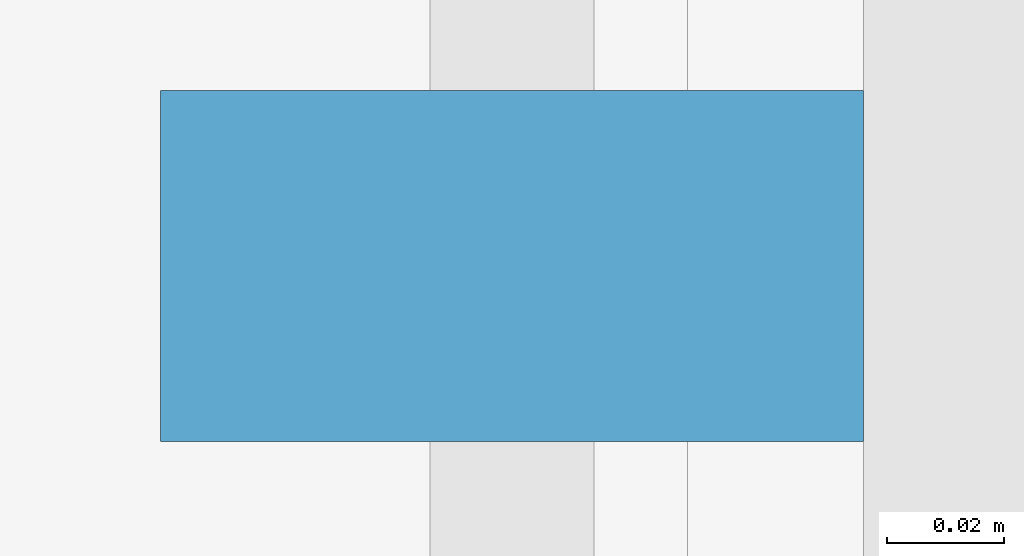
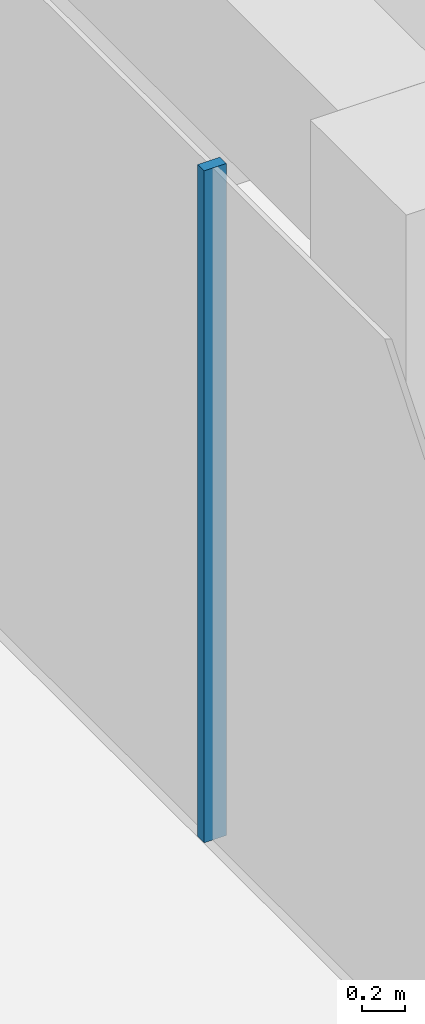
# One storey, part 12 of 25: 1 member, 1 element without a shape of its own.
"""IFC4 building model written with IfcOpenShell, lengths in metres."""

import ifcopenshell
import ifcopenshell.guid

model = None  # the IFC model being written
_history = None  # IfcOwnerHistory: only IFC2X3 demands one
_inside = {}  # id of a spatial element -> (the spatial element, [elements in it])
_under = {}  # id of a project, library or spatial element -> (it, [spatial elements below it])
_declared = {}  # id of a project -> (the project, [libraries it declares])
_typed = {}  # id of a type object -> (the type object, [elements of that type])
_made_of = {}  # id of a material, layer set ... -> (it, [elements and type objects made of it])


def new_model(schema):
    """Start an empty IFC model of exactly this schema.

    Asked for "IFC4X3", IfcOpenShell would pick the latest addendum, in which some entities
    have other attributes; the version numbers below select the first issue.
    IFC2X3 requires an IfcOwnerHistory on every rooted entity: one is made here for all.
    """
    global model, _history
    if schema == "IFC4X3":
        model = ifcopenshell.file(schema_version=(4, 3, 0, 0))
    else:
        model = ifcopenshell.file(schema=schema)
    _inside.clear()
    _under.clear()
    _declared.clear()
    _typed.clear()
    _made_of.clear()
    _history = None
    if model.schema == "IFC2X3":
        org = make("IfcOrganization", Name="unknown")
        user = make(
            "IfcPersonAndOrganization",
            ThePerson=make("IfcPerson", FamilyName="unknown"),
            TheOrganization=org,
        )
        app = make(
            "IfcApplication",
            ApplicationDeveloper=org,
            Version="unknown",
            ApplicationFullName="unknown",
            ApplicationIdentifier="unknown",
        )
        _history = make(
            "IfcOwnerHistory",
            OwningUser=user,
            OwningApplication=app,
            ChangeAction="ADDED",
            CreationDate=0,
        )
    return model


def make(cls, **values):
    """One entity of the class cls with the attributes given. An attribute that is None is left unset."""
    return model.create_entity(
        cls, **{name: value for name, value in values.items() if value is not None}
    )


def rooted(cls, **values):
    """An entity with a GlobalId (a new one), such as an element, a storey or a relation."""
    return make(cls, GlobalId=ifcopenshell.guid.new(), OwnerHistory=_history, **values)


def si_unit(unit_type, name, prefix=None):
    """IfcSIUnit, for example si_unit("LENGTHUNIT", "METRE", prefix="MILLI")."""
    return make("IfcSIUnit", UnitType=unit_type, Prefix=prefix, Name=name)


def assignment(units):
    """IfcUnitAssignment: the units of a project."""
    return None if units is None else make("IfcUnitAssignment", Units=units)


def point(xyz):
    """IfcCartesianPoint."""
    return None if xyz is None else make("IfcCartesianPoint", Coordinates=xyz)


def direction(xyz):
    """IfcDirection."""
    return None if xyz is None else make("IfcDirection", DirectionRatios=xyz)


def frame(location, z_axis=None, x_axis=None):
    """IfcAxis2Placement3D, a coordinate frame: its origin and axes. An axis left out is left unset."""
    return make(
        "IfcAxis2Placement3D",
        Location=point(location),
        Axis=direction(z_axis),
        RefDirection=direction(x_axis),
    )


def frame_2d(location, x_axis=None):
    """IfcAxis2Placement2D, a coordinate frame in the plane: its origin and x axis."""
    return make(
        "IfcAxis2Placement2D", Location=point(location), RefDirection=direction(x_axis)
    )


def origin():
    """The frame at (0, 0, 0) with its axes left unset."""
    return frame((0.0, 0.0, 0.0))


def origin_2d():
    """The frame at (0, 0) in the plane with its x axis left unset."""
    return frame_2d((0.0, 0.0))


def place(relative_to, where):
    """IfcLocalPlacement: puts the frame where relative to a parent placement (None: the world)."""
    return make(
        "IfcLocalPlacement", PlacementRelTo=relative_to, RelativePlacement=where
    )


def context(
    kind, dimensions, precision=None, world=None, true_north=None, identifier=None
):
    """IfcGeometricRepresentationContext, for example the 3D "Model" context."""
    return make(
        "IfcGeometricRepresentationContext",
        ContextIdentifier=identifier,
        ContextType=kind,
        CoordinateSpaceDimension=dimensions,
        Precision=precision,
        WorldCoordinateSystem=world,
        TrueNorth=true_north,
    )


def subcontext(parent, identifier, kind, view, scale=None):
    """IfcGeometricRepresentationSubContext, for example "Body" below "Model"."""
    return make(
        "IfcGeometricRepresentationSubContext",
        ContextIdentifier=identifier,
        ContextType=kind,
        ParentContext=parent,
        TargetScale=scale,
        TargetView=view,
    )


def project(units=None, contexts=None):
    """IfcProject with its units and contexts."""
    return rooted(
        "IfcProject",
        Name="project",
        RepresentationContexts=contexts,
        UnitsInContext=assignment(units),
    )


def spatial(cls, under=None, at=None, **own):
    """A site, building, storey or space (cls), placed at a placement, below another one or the project."""
    s = rooted(cls, ObjectPlacement=at, **own)
    if under is not None:
        _under.setdefault(under.id(), (under, []))[1].append(s)
    return s


def profile(cls, at=None, kind="AREA", **sizes):
    """A parametric profile (cls). Its sizes go by their IFC names, for example OverallWidth=200.0."""
    return make(cls, ProfileType=kind, Position=at, **sizes)


def rectangle(**sizes):
    """IfcRectangleProfileDef."""
    return profile("IfcRectangleProfileDef", **sizes)


def extrude(swept, where, along, depth):
    """IfcExtrudedAreaSolid: the profile swept, set in the frame where, extruded along a direction by depth."""
    return make(
        "IfcExtrudedAreaSolid",
        SweptArea=swept,
        Position=where,
        ExtrudedDirection=direction(along),
        Depth=depth,
    )


def shape(context_of_items, identifier, shape_type, items):
    """IfcShapeRepresentation: the items that make up one representation, for example the "Body"."""
    return make(
        "IfcShapeRepresentation",
        ContextOfItems=context_of_items,
        RepresentationIdentifier=identifier,
        RepresentationType=shape_type,
        Items=items,
    )


def material(Name=None, Category=None):
    """IfcMaterial."""
    return make("IfcMaterial", Name=Name, Category=Category)


def layer(
    of_material, thickness, ventilated=None, Name=None, Category=None, Priority=None
):
    """IfcMaterialLayer: one layer of a wall or slab, of a material (None: an air gap)."""
    return make(
        "IfcMaterialLayer",
        Material=of_material,
        LayerThickness=thickness,
        IsVentilated=ventilated,
        Name=Name,
        Category=Category,
        Priority=Priority,
    )


def layer_set(layers, Name=None):
    """IfcMaterialLayerSet."""
    return make("IfcMaterialLayerSet", MaterialLayers=layers, LayerSetName=Name)


def material_profile(
    of_material, cross_section, Name=None, Category=None, Priority=None
):
    """IfcMaterialProfile: a cross section and its material."""
    return make(
        "IfcMaterialProfile",
        Name=Name,
        Material=of_material,
        Profile=cross_section,
        Priority=Priority,
        Category=Category,
    )


def profile_set(profiles, Name=None, composite=None):
    """IfcMaterialProfileSet."""
    return make(
        "IfcMaterialProfileSet",
        Name=Name,
        MaterialProfiles=profiles,
        CompositeProfile=composite,
    )


def made_of(thing, what):
    """Note that an element or type object is made of a material, layer set ...; save() writes the relation."""
    if what is not None:
        _made_of.setdefault(what.id(), (what, []))[1].append(thing)
    return thing


def type_object(cls, material=None, **own):
    """A type object (cls), such as IfcWallType, which elements share."""
    return made_of(rooted(cls, **own), material)


def element(
    cls,
    number,
    at=None,
    inside=None,
    cuts=None,
    type_object=None,
    material=None,
    context=None,
    identifier="Body",
    shape_type=None,
    held_by="IfcProductDefinitionShape",
    body=None,
    shapes=None,
    **own,
):
    """One element of the class cls, such as IfcWall. Its Tag is "e" and its number.

    at: its placement. inside: the storey or other place that contains it. cuts: it is an
    opening in that element (IfcRelVoidsElement). A single representation is given by context,
    identifier, shape_type and body (its items); several are given by shapes. held_by: the class
    of the entity that holds the representations. save() writes the other relations.
    """
    e = rooted(cls, Tag="e%d" % number, ObjectPlacement=at, **own)
    if body is not None:
        shapes = [shape(context, identifier, shape_type, body)]
    if shapes is not None:
        e.Representation = make(held_by, Representations=shapes)
    if inside is not None:
        _inside.setdefault(inside.id(), (inside, []))[1].append(e)
    if cuts is not None:
        rooted(
            "IfcRelVoidsElement", RelatingBuildingElement=cuts, RelatedOpeningElement=e
        )
    if type_object is not None:
        _typed.setdefault(type_object.id(), (type_object, []))[1].append(e)
    return made_of(e, material)


def aggregate(whole, parts):
    """IfcRelAggregates: a whole, such as a stair, and the parts it consists of."""
    return rooted("IfcRelAggregates", RelatingObject=whole, RelatedObjects=parts)


def save(model, path):
    """Write the relations noted so far, then the file.

    IfcRelAggregates (storeys below a building ...), IfcRelContainedInSpatialStructure (elements
    in a storey), IfcRelDefinesByType, IfcRelAssociatesMaterial and IfcRelDeclares: one each for
    every whole, place, type object, material and project.
    """
    for whole, parts in _under.values():
        aggregate(whole, parts)
    for where, things in _inside.values():
        rooted(
            "IfcRelContainedInSpatialStructure",
            RelatedElements=things,
            RelatingStructure=where,
        )
    for kind, things in _typed.values():
        rooted("IfcRelDefinesByType", RelatedObjects=things, RelatingType=kind)
    for what, things in _made_of.values():
        rooted("IfcRelAssociatesMaterial", RelatedObjects=things, RelatingMaterial=what)
    for by, libraries in _declared.values():
        rooted("IfcRelDeclares", RelatingContext=by, RelatedDefinitions=libraries)
    model.write(path)


model = new_model("IFC4")

# Units and contexts
model_context = context("Model", 3, precision=1e-05, world=origin(), true_north=direction((0.0, 1.0)))
body_context = subcontext(model_context, "Body", "Model", "MODEL_VIEW")
ifc_project = project(units=[si_unit("LENGTHUNIT", "METRE"), si_unit("AREAUNIT", "SQUARE_METRE"), si_unit("VOLUMEUNIT", "CUBIC_METRE"), si_unit("PLANEANGLEUNIT", "RADIAN"), si_unit("MASSUNIT", "GRAM", prefix="KILO")], contexts=[model_context])

# Site, building, storey
site_placement = place(None, origin())
site = spatial("IfcSite", under=ifc_project, at=site_placement, CompositionType="ELEMENT")
building_placement = place(site_placement, origin())
building = spatial("IfcBuilding", under=site, at=building_placement, Name="Welwitschia Terrace Campus", CompositionType="ELEMENT")
storey_placement = place(building_placement, frame((0.0, 0.0, 121.39990234375)))
storey = spatial("IfcBuildingStorey", under=building, at=storey_placement, Name="L27", CompositionType="ELEMENT", Elevation=121.39990234375)

# Curtain wall, member
ifc_material_1 = material(Name="Bronze anodised aluminium", Category="aluminium")
ifc_layer = layer(ifc_material_1, 0.1201171875)
ifc_layer_set = layer_set([ifc_layer], Name="Bronze anodised aluminium")
curtain_wall_type = type_object("IfcCurtainWallType", Name="Curtain wall CW2 tower 6000", PredefinedType="NOTDEFINED", material=ifc_layer_set)
curtain_wall_placement = place(storey_placement, origin())
curtain_wall = element("IfcCurtainWall", 1, at=curtain_wall_placement, inside=storey, type_object=curtain_wall_type, Name="CW L27.12.0", PredefinedType="NOTDEFINED")
ifc_material_2 = material(Name="Bronze anodised aluminium", Category="aluminium")
ifc_material_profile = material_profile(ifc_material_2, rectangle(XDim=0.1201171875, YDim=0.06005859375, at=origin_2d()))
ifc_profile_set = profile_set([ifc_material_profile], Name="Bronze anodised aluminium")
member_type = type_object("IfcMemberType", Name="Mullion 60x120", PredefinedType="MULLION", material=ifc_profile_set)
member_placement = place(storey_placement, frame((-1.030029296875, 52.3681640625, 0.0), z_axis=(0.0, 0.0, 1.0), x_axis=(1.0, 0.0, 0.0)))
member = element("IfcMember", 2, at=member_placement, type_object=member_type, Name="Mullion L27.12.0.3", PredefinedType="MULLION", context=body_context, shape_type="SweptSolid", body=[
    extrude(rectangle(XDim=0.1201171875, YDim=0.06005859375, at=origin_2d()), origin(), (0.0, 0.0, 1.0), 3.85009765625),
])
aggregate(curtain_wall, [member])

save(model, "model.ifc")
